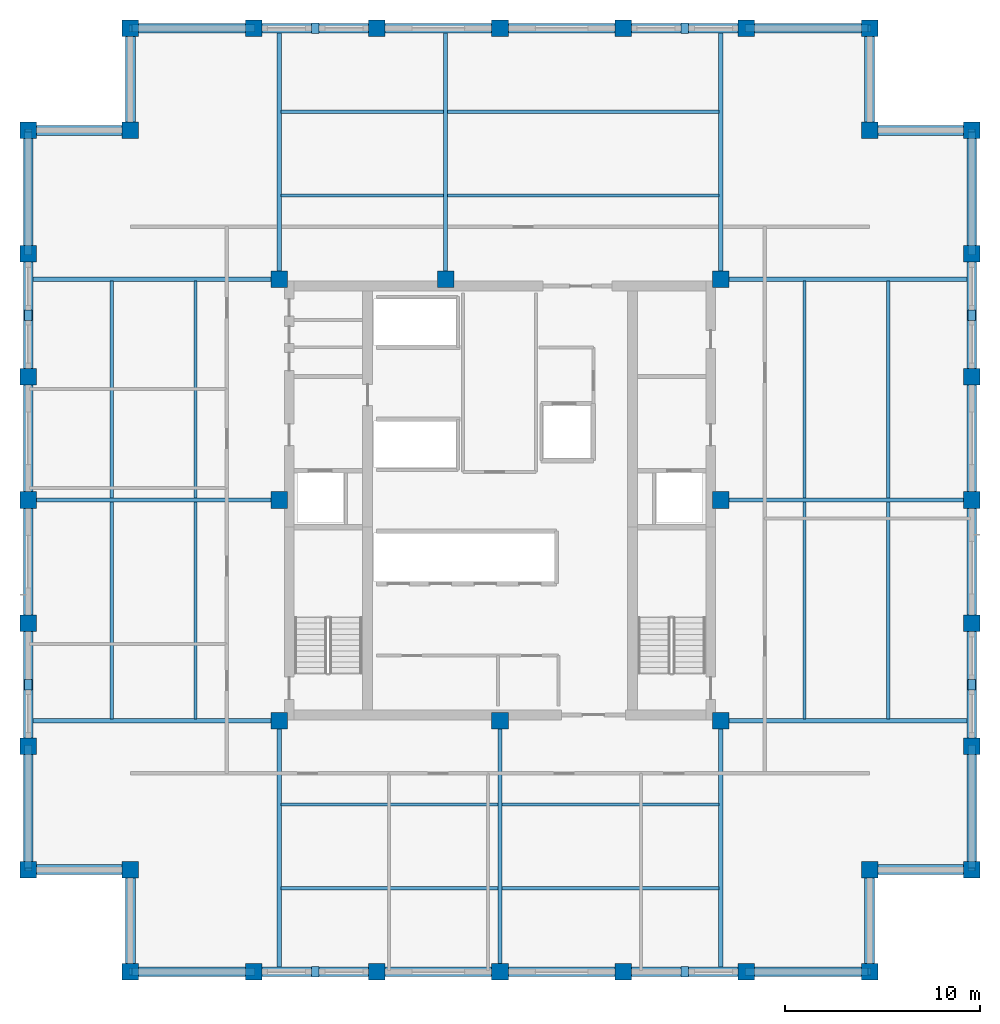
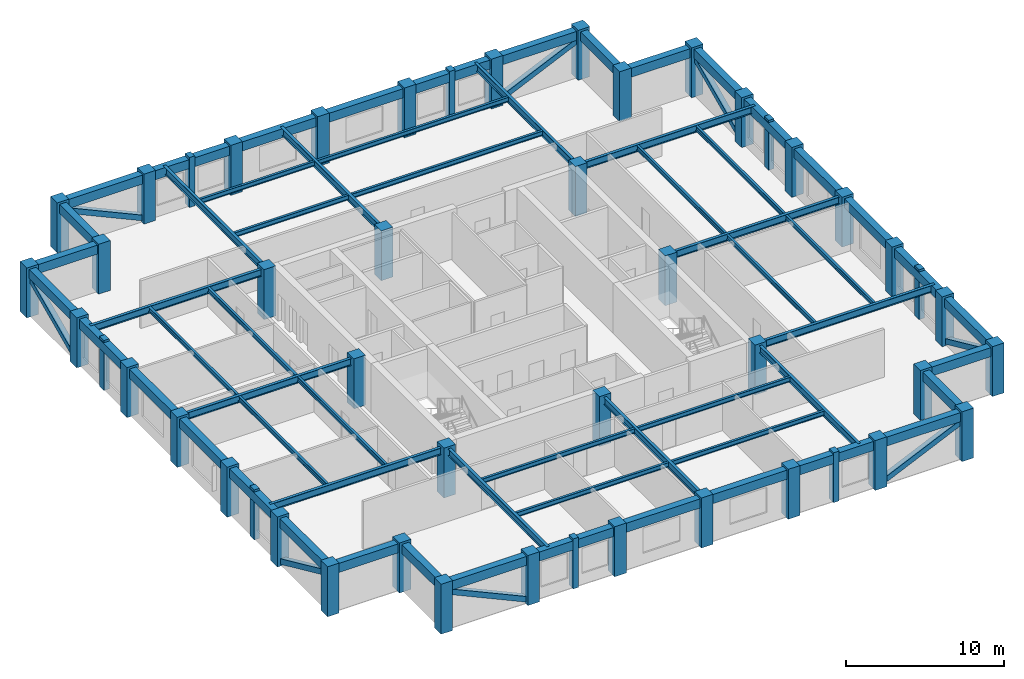
# One storey, part 1 of 9: 60 beams, 40 columns, 16 members.
"""IFC4 building model written with IfcOpenShell, lengths in metres."""

from ifc_helpers import new_model, si_unit, direction, frame, origin, origin_2d, place, context, subcontext, project, spatial, rectangle, hollow_rectangle, i_section, extrude, material, material_profile, profile_set, type_object, element, save


model = new_model("IFC4")

# Units and contexts
model_context = context("Model", 3, precision=1e-05, world=origin(), true_north=direction((0.0, 1.0)))
body_context = subcontext(model_context, "Body", "Model", "MODEL_VIEW")
ifc_project = project(units=[si_unit("LENGTHUNIT", "METRE"), si_unit("AREAUNIT", "SQUARE_METRE"), si_unit("VOLUMEUNIT", "CUBIC_METRE"), si_unit("PLANEANGLEUNIT", "RADIAN"), si_unit("MASSUNIT", "GRAM", prefix="KILO")], contexts=[model_context])

# Site, building, storey
site_placement = place(None, origin())
site = spatial("IfcSite", under=ifc_project, at=site_placement, CompositionType="ELEMENT")
building_placement = place(site_placement, origin())
building = spatial("IfcBuilding", under=site, at=building_placement, Name="Nhamokura Convention Tower", CompositionType="ELEMENT")
storey_placement = place(building_placement, frame((0.0, 0.0, 221.550048828125)))
storey = spatial("IfcBuildingStorey", under=building, at=storey_placement, Name="L54", CompositionType="ELEMENT", Elevation=221.550048828125)

# Columns
ifc_material_1 = material(Name="Concrete C50/60", Category="concrete")
ifc_material_profile_1 = material_profile(ifc_material_1, rectangle(XDim=0.85009765625, YDim=0.85009765625, at=origin_2d()))
ifc_profile_set_1 = profile_set([ifc_material_profile_1], Name="Concrete C50/60")
column_type = type_object("IfcColumnType", Name="TubeColumn_Z3_850", PredefinedType="COLUMN", material=ifc_profile_set_1)
for number, where, z_axis, x_axis, name in (
    (1, (20.64990234375, 20.64990234375, 0.0), (0.0, 0.0, 1.0), (1.0, 0.0, 0.0), "L54 Core Column CC-SW"),
    (2, (32.0, 20.64990234375, 0.0), (0.0, 0.0, 1.0), (1.0, 0.0, 0.0), "L54 Core Column CC-S"),
    (3, (43.35009765625, 20.64990234375, 0.0), (0.0, 0.0, 1.0), (1.0, 0.0, 0.0), "L54 Core Column CC-SE"),
    (4, (43.35009765625, 32.0, 0.0), (0.0, 0.0, 1.0), (1.0, 0.0, 0.0), "L54 Core Column CC-E"),
    (5, (43.35009765625, 43.35009765625, 0.0), (0.0, 0.0, 1.0), (1.0, 0.0, 0.0), "L54 Core Column CC-NE"),
    (6, (29.199951171875, 43.35009765625, 0.0), (0.0, 0.0, 1.0), (1.0, 0.0, 0.0), "L54 Core Column CC-N"),
    (7, (20.64990234375, 43.35009765625, 0.0), (0.0, 0.0, 1.0), (1.0, 0.0, 0.0), "L54 Core Column CC-NW"),
    (8, (20.64990234375, 32.0, 0.0), (0.0, 0.0, 1.0), (1.0, 0.0, 0.0), "L54 Core Column CC-W"),
    (9, (13.0, 7.75, 0.0), (0.0, 0.0, 1.0), (1.0, 0.0, 0.0), "L54 Perimeter Tube Column SW1"),
    (10, (13.0, 13.0, 0.0), (0.0, 0.0, 1.0), (1.0, 0.0, 0.0), "L54 Perimeter Tube Column SW0"),
    (11, (7.75, 13.0, 0.0), (0.0, 0.0, 1.0), (1.0, 0.0, 0.0), "L54 Perimeter Tube Column SW2"),
    (12, (51.0, 7.75, 0.0), (0.0, 0.0, 1.0), (1.0, 0.0, 0.0), "L54 Perimeter Tube Column SE1"),
    (13, (51.0, 13.0, 0.0), (0.0, 0.0, 1.0), (1.0, 0.0, 0.0), "L54 Perimeter Tube Column SE0"),
    (14, (56.25, 13.0, 0.0), (0.0, 0.0, 1.0), (1.0, 0.0, 0.0), "L54 Perimeter Tube Column SE2"),
    (15, (56.25, 51.0, 0.0), (0.0, 0.0, 1.0), (1.0, 0.0, 0.0), "L54 Perimeter Tube Column NE1"),
    (16, (51.0, 51.0, 0.0), (0.0, 0.0, 1.0), (1.0, 0.0, 0.0), "L54 Perimeter Tube Column NE0"),
    (17, (51.0, 56.25, 0.0), (0.0, 0.0, 1.0), (1.0, 0.0, 0.0), "L54 Perimeter Tube Column NE2"),
    (18, (13.0, 56.25, 0.0), (0.0, 0.0, 1.0), (1.0, 0.0, 0.0), "L54 Perimeter Tube Column NW1"),
    (19, (13.0, 51.0, 0.0), (0.0, 0.0, 1.0), (1.0, 0.0, 0.0), "L54 Perimeter Tube Column NW0"),
    (20, (7.75, 51.0, 0.0), (0.0, 0.0, 1.0), (1.0, 0.0, 0.0), "L54 Perimeter Tube Column NW2"),
    (21, (19.333251953125, 7.75, 0.0), (0.0, 0.0, 1.0), (1.0, 0.0, 0.0), "L54 Perimeter Tube Column S1"),
    (22, (19.333251953125, 56.25, 0.0), (0.0, 0.0, 1.0), (1.0, 0.0, 0.0), "L54 Perimeter Tube Column N1"),
    (23, (7.75, 19.333251953125, 0.0), (0.0, 0.0, 1.0), (1.0, 0.0, 0.0), "L54 Perimeter Tube Column W1"),
    (24, (56.25, 19.333251953125, 0.0), (0.0, 0.0, 1.0), (1.0, 0.0, 0.0), "L54 Perimeter Tube Column E1"),
    (25, (25.666748046875, 7.75, 0.0), (0.0, 0.0, 1.0), (1.0, 0.0, 0.0), "L54 Perimeter Tube Column S2"),
    (26, (25.666748046875, 56.25, 0.0), (0.0, 0.0, 1.0), (1.0, 0.0, 0.0), "L54 Perimeter Tube Column N2"),
    (27, (7.75, 25.666748046875, 0.0), (0.0, 0.0, 1.0), (1.0, 0.0, 0.0), "L54 Perimeter Tube Column W2"),
    (28, (56.25, 25.666748046875, 0.0), (0.0, 0.0, 1.0), (1.0, 0.0, 0.0), "L54 Perimeter Tube Column E2"),
    (29, (32.0, 7.75, 0.0), (0.0, 0.0, 1.0), (1.0, 0.0, 0.0), "L54 Perimeter Tube Column S3"),
    (30, (32.0, 56.25, 0.0), (0.0, 0.0, 1.0), (1.0, 0.0, 0.0), "L54 Perimeter Tube Column N3"),
    (31, (7.75, 32.0, 0.0), (0.0, 0.0, 1.0), (1.0, 0.0, 0.0), "L54 Perimeter Tube Column W3"),
    (32, (56.25, 32.0, 0.0), (0.0, 0.0, 1.0), (1.0, 0.0, 0.0), "L54 Perimeter Tube Column E3"),
    (33, (38.333251953125, 7.75, 0.0), (0.0, 0.0, 1.0), (1.0, 0.0, 0.0), "L54 Perimeter Tube Column S4"),
    (34, (38.333251953125, 56.25, 0.0), (0.0, 0.0, 1.0), (1.0, 0.0, 0.0), "L54 Perimeter Tube Column N4"),
    (35, (7.75, 38.333251953125, 0.0), (0.0, 0.0, 1.0), (1.0, 0.0, 0.0), "L54 Perimeter Tube Column W4"),
    (36, (56.25, 38.333251953125, 0.0), (0.0, 0.0, 1.0), (1.0, 0.0, 0.0), "L54 Perimeter Tube Column E4"),
    (37, (44.666748046875, 7.75, 0.0), (0.0, 0.0, 1.0), (1.0, 0.0, 0.0), "L54 Perimeter Tube Column S5"),
    (38, (44.666748046875, 56.25, 0.0), (0.0, 0.0, 1.0), (1.0, 0.0, 0.0), "L54 Perimeter Tube Column N5"),
    (39, (7.75, 44.666748046875, 0.0), (0.0, 0.0, 1.0), (1.0, 0.0, 0.0), "L54 Perimeter Tube Column W5"),
    (40, (56.25, 44.666748046875, 0.0), (0.0, 0.0, 1.0), (1.0, 0.0, 0.0), "L54 Perimeter Tube Column E5"),
):
    element("IfcColumn", number, at=place(storey_placement, frame(where, z_axis=z_axis, x_axis=x_axis)), inside=storey, type_object=column_type, Name=name, PredefinedType="COLUMN", context=body_context, shape_type="SweptSolid", body=[
        extrude(rectangle(XDim=0.85009765625, YDim=0.85009765625, at=origin_2d()), origin(), (0.0, 0.0, 1.0), 3.849853515625),
    ])

# Members
ifc_material_2 = material(Name="Bronze-pigmented precast concrete C45/55", Category="concrete")
ifc_material_profile_2 = material_profile(ifc_material_2, rectangle(XDim=0.39990234375, YDim=0.550048828125, at=origin_2d()))
ifc_profile_set_2 = profile_set([ifc_material_profile_2], Name="Bronze-pigmented precast concrete C45/55")
member_type_1 = type_object("IfcMemberType", Name="BronzePilaster_550", PredefinedType="USERDEFINED", material=ifc_profile_set_2)
for number, where, z_axis, x_axis, name in (
    (41, (22.5, 7.75, 0.0), (0.0, 0.0, 1.0), (1.0, 0.0, 0.0), "L54 Engaged Frame Pilaster SOUTH 1"),
    (42, (41.5, 7.75, 0.0), (0.0, 0.0, 1.0), (1.0, 0.0, 0.0), "L54 Engaged Frame Pilaster SOUTH 4"),
    (43, (22.5, 56.25, 0.0), (0.0, 0.0, 1.0), (1.0, 0.0, 0.0), "L54 Engaged Frame Pilaster NORTH 1"),
    (44, (41.5, 56.25, 0.0), (0.0, 0.0, 1.0), (1.0, 0.0, 0.0), "L54 Engaged Frame Pilaster NORTH 4"),
    (45, (7.75, 22.5, 0.0), (0.0, 0.0, 1.0), (1.0, 0.0, 0.0), "L54 Engaged Frame Pilaster WEST 1"),
    (46, (7.75, 41.5, 0.0), (0.0, 0.0, 1.0), (1.0, 0.0, 0.0), "L54 Engaged Frame Pilaster WEST 4"),
    (47, (56.25, 22.5, 0.0), (0.0, 0.0, 1.0), (1.0, 0.0, 0.0), "L54 Engaged Frame Pilaster EAST 1"),
    (48, (56.25, 41.5, 0.0), (0.0, 0.0, 1.0), (1.0, 0.0, 0.0), "L54 Engaged Frame Pilaster EAST 4"),
):
    element("IfcMember", number, at=place(storey_placement, frame(where, z_axis=z_axis, x_axis=x_axis)), inside=storey, type_object=member_type_1, Name=name, ObjectType="PILASTER_TRIM", PredefinedType="USERDEFINED", context=body_context, shape_type="SweptSolid", body=[
        extrude(rectangle(XDim=0.39990234375, YDim=0.550048828125, at=origin_2d()), origin(), (0.0, 0.0, 1.0), 3.849853515625),
    ])

# Beams
ifc_material_3 = material(Name="Steel ASTM A992 Gr 50", Category="steel")
ifc_material_profile_3 = material_profile(ifc_material_3, i_section(OverallWidth=0.172119140625, OverallDepth=0.35791015625, WebThickness=0.0078125, FlangeThickness=0.01318359375, at=origin_2d()))
ifc_profile_set_3 = profile_set([ifc_material_profile_3], Name="Steel ASTM A992 Gr 50")
beam_type_1 = type_object("IfcBeamType", Name="FloorJoist_W360X57", PredefinedType="JOIST", material=ifc_profile_set_3)
for number, where, z_axis, x_axis, name in (
    (49, (20.75341796875, 12.050048828125, 3.505859375), (1.0, 0.0, 0.0), (0.0, 1.0, 0.0), "L54 Composite Floor Joist S1A"),
    (50, (32.103515625, 12.050048828125, 3.505859375), (1.0, 0.0, 0.0), (0.0, 1.0, 0.0), "L54 Composite Floor Joist S1B"),
    (51, (20.75341796875, 16.35009765625, 3.505859375), (1.0, 0.0, 0.0), (0.0, 1.0, 0.0), "L54 Composite Floor Joist S2A"),
    (52, (32.103515625, 16.35009765625, 3.505859375), (1.0, 0.0, 0.0), (0.0, 1.0, 0.0), "L54 Composite Floor Joist S2B"),
):
    element("IfcBeam", number, at=place(storey_placement, frame(where, z_axis=z_axis, x_axis=x_axis)), inside=storey, type_object=beam_type_1, Name=name, PredefinedType="JOIST", context=body_context, shape_type="SweptSolid", body=[
        extrude(i_section(OverallWidth=0.172119140625, OverallDepth=0.35791015625, WebThickness=0.0078125, FlangeThickness=0.01318359375, at=origin_2d()), origin(), (0.0, 0.0, 1.0), 11.14306640625),
    ])
beam_1_placement = place(storey_placement, frame((20.75341796875, 47.64990234375, 3.505859375), z_axis=(1.0, 0.0, 0.0), x_axis=(0.0, 1.0, 0.0)))
element("IfcBeam", 53, at=beam_1_placement, inside=storey, type_object=beam_type_1, Name="L54 Composite Floor Joist N1A", PredefinedType="JOIST", context=body_context, shape_type="SweptSolid", body=[
    extrude(i_section(OverallWidth=0.172119140625, OverallDepth=0.35791015625, WebThickness=0.0078125, FlangeThickness=0.01318359375, at=origin_2d()), origin(), (0.0, 0.0, 1.0), 8.343017578125),
])
beam_2_placement = place(storey_placement, frame((29.303466796875, 47.64990234375, 3.505859375), z_axis=(1.0, 0.0, 0.0), x_axis=(0.0, 1.0, 0.0)))
element("IfcBeam", 54, at=beam_2_placement, inside=storey, type_object=beam_type_1, Name="L54 Composite Floor Joist N1B", PredefinedType="JOIST", context=body_context, shape_type="SweptSolid", body=[
    extrude(i_section(OverallWidth=0.172119140625, OverallDepth=0.35791015625, WebThickness=0.0078125, FlangeThickness=0.01318359375, at=origin_2d()), origin(), (0.0, 0.0, 1.0), 13.943115234375),
])
beam_3_placement = place(storey_placement, frame((20.75341796875, 51.949951171875, 3.505859375), z_axis=(1.0, 0.0, 0.0), x_axis=(0.0, 1.0, 0.0)))
element("IfcBeam", 55, at=beam_3_placement, inside=storey, type_object=beam_type_1, Name="L54 Composite Floor Joist N2A", PredefinedType="JOIST", context=body_context, shape_type="SweptSolid", body=[
    extrude(i_section(OverallWidth=0.172119140625, OverallDepth=0.35791015625, WebThickness=0.0078125, FlangeThickness=0.01318359375, at=origin_2d()), origin(), (0.0, 0.0, 1.0), 8.343017578125),
])
beam_4_placement = place(storey_placement, frame((29.303466796875, 51.949951171875, 3.505859375), z_axis=(1.0, 0.0, 0.0), x_axis=(0.0, 1.0, 0.0)))
element("IfcBeam", 56, at=beam_4_placement, inside=storey, type_object=beam_type_1, Name="L54 Composite Floor Joist N2B", PredefinedType="JOIST", context=body_context, shape_type="SweptSolid", body=[
    extrude(i_section(OverallWidth=0.172119140625, OverallDepth=0.35791015625, WebThickness=0.0078125, FlangeThickness=0.01318359375, at=origin_2d()), origin(), (0.0, 0.0, 1.0), 13.943115234375),
])
for number, where, z_axis, x_axis, name in (
    (57, (12.050048828125, 20.75341796875, 3.505859375), (0.0, 1.0, 0.0), (-1.0, 0.0, 0.0), "L54 Composite Floor Joist W1A"),
    (58, (12.050048828125, 32.103515625, 3.505859375), (0.0, 1.0, 0.0), (-1.0, 0.0, 0.0), "L54 Composite Floor Joist W1B"),
    (59, (16.35009765625, 20.75341796875, 3.505859375), (0.0, 1.0, 0.0), (-1.0, 0.0, 0.0), "L54 Composite Floor Joist W2A"),
    (60, (16.35009765625, 32.103515625, 3.505859375), (0.0, 1.0, 0.0), (-1.0, 0.0, 0.0), "L54 Composite Floor Joist W2B"),
    (61, (47.64990234375, 20.75341796875, 3.505859375), (0.0, 1.0, 0.0), (-1.0, 0.0, 0.0), "L54 Composite Floor Joist E1A"),
    (62, (47.64990234375, 32.103515625, 3.505859375), (0.0, 1.0, 0.0), (-1.0, 0.0, 0.0), "L54 Composite Floor Joist E1B"),
    (63, (51.949951171875, 20.75341796875, 3.505859375), (0.0, 1.0, 0.0), (-1.0, 0.0, 0.0), "L54 Composite Floor Joist E2A"),
    (64, (51.949951171875, 32.103515625, 3.505859375), (0.0, 1.0, 0.0), (-1.0, 0.0, 0.0), "L54 Composite Floor Joist E2B"),
):
    element("IfcBeam", number, at=place(storey_placement, frame(where, z_axis=z_axis, x_axis=x_axis)), inside=storey, type_object=beam_type_1, Name=name, PredefinedType="JOIST", context=body_context, shape_type="SweptSolid", body=[
        extrude(i_section(OverallWidth=0.172119140625, OverallDepth=0.35791015625, WebThickness=0.0078125, FlangeThickness=0.01318359375, at=origin_2d()), origin(), (0.0, 0.0, 1.0), 11.14306640625),
    ])
ifc_material_4 = material(Name="Steel ASTM A992 Gr 50", Category="steel")
ifc_material_profile_4 = material_profile(ifc_material_4, i_section(OverallWidth=0.2109375, OverallDepth=0.5390625, WebThickness=0.01171875, FlangeThickness=0.018798828125, at=origin_2d()))
ifc_profile_set_4 = profile_set([ifc_material_profile_4], Name="Steel ASTM A992 Gr 50")
beam_type_2 = type_object("IfcBeamType", Name="PrimaryGirder_W530X109", PredefinedType="BEAM", material=ifc_profile_set_4)
for number, where, z_axis, x_axis, name in (
    (65, (20.64990234375, 7.75, 3.41552734375), (0.0, 1.0, 0.0), (-1.0, 0.0, 0.0), "L54 Primary Floor Girder PG-S1"),
    (66, (32.0, 7.75, 3.41552734375), (0.0, 1.0, 0.0), (-1.0, 0.0, 0.0), "L54 Primary Floor Girder PG-S2"),
    (67, (43.35009765625, 7.75, 3.41552734375), (0.0, 1.0, 0.0), (-1.0, 0.0, 0.0), "L54 Primary Floor Girder PG-S3"),
    (68, (20.64990234375, 43.35009765625, 3.41552734375), (0.0, 1.0, 0.0), (-1.0, 0.0, 0.0), "L54 Primary Floor Girder PG-N1"),
    (69, (29.199951171875, 43.35009765625, 3.41552734375), (0.0, 1.0, 0.0), (-1.0, 0.0, 0.0), "L54 Primary Floor Girder PG-N2"),
    (70, (43.35009765625, 43.35009765625, 3.41552734375), (0.0, 1.0, 0.0), (-1.0, 0.0, 0.0), "L54 Primary Floor Girder PG-N3"),
    (71, (7.75, 20.64990234375, 3.41552734375), (1.0, 0.0, 0.0), (0.0, 1.0, 0.0), "L54 Primary Floor Girder PG-W1"),
    (72, (7.75, 32.0, 3.41552734375), (1.0, 0.0, 0.0), (0.0, 1.0, 0.0), "L54 Primary Floor Girder PG-W2"),
    (73, (7.75, 43.35009765625, 3.41552734375), (1.0, 0.0, 0.0), (0.0, 1.0, 0.0), "L54 Primary Floor Girder PG-W3"),
    (74, (43.35009765625, 20.64990234375, 3.41552734375), (1.0, 0.0, 0.0), (0.0, 1.0, 0.0), "L54 Primary Floor Girder PG-E1"),
    (75, (43.35009765625, 32.0, 3.41552734375), (1.0, 0.0, 0.0), (0.0, 1.0, 0.0), "L54 Primary Floor Girder PG-E2"),
    (76, (43.35009765625, 43.35009765625, 3.41552734375), (1.0, 0.0, 0.0), (0.0, 1.0, 0.0), "L54 Primary Floor Girder PG-E3"),
):
    element("IfcBeam", number, at=place(storey_placement, frame(where, z_axis=z_axis, x_axis=x_axis)), inside=storey, type_object=beam_type_2, Name=name, PredefinedType="BEAM", context=body_context, shape_type="SweptSolid", body=[
        extrude(i_section(OverallWidth=0.2109375, OverallDepth=0.5390625, WebThickness=0.01171875, FlangeThickness=0.018798828125, at=origin_2d()), origin(), (0.0, 0.0, 1.0), 12.89990234375),
    ])

# Members
ifc_material_5 = material(Name="Steel ASTM A572 Gr 50", Category="steel")
ifc_material_profile_5 = material_profile(ifc_material_5, hollow_rectangle(XDim=0.39990234375, YDim=0.39990234375, WallThickness=0.02001953125, at=origin_2d()))
ifc_profile_set_5 = profile_set([ifc_material_profile_5], Name="Steel ASTM A572 Gr 50")
member_type_2 = type_object("IfcMemberType", Name="TubeBrace_HSS400", PredefinedType="BRACE", material=ifc_profile_set_5)
for number, where, z_axis, x_axis, name in (
    (77, (19.333251953125, 7.75, 0.14990234375), (-0.910027379678, 0.0, 0.41454814948), (0.0, -1.0, 0.0), "L54 Perimeter Tube Brace SOUTH Bay 0"),
    (78, (44.666748046875, 7.75, 0.14990234375), (0.910027379678, 0.0, 0.41454814948), (0.0, 1.0, 0.0), "L54 Perimeter Tube Brace SOUTH Bay 5"),
    (79, (19.333251953125, 56.25, 0.14990234375), (-0.910027379678, 0.0, 0.41454814948), (0.0, -1.0, 0.0), "L54 Perimeter Tube Brace NORTH Bay 0"),
    (80, (44.666748046875, 56.25, 0.14990234375), (0.910027379678, 0.0, 0.41454814948), (0.0, 1.0, 0.0), "L54 Perimeter Tube Brace NORTH Bay 5"),
    (81, (7.75, 19.333251953125, 0.14990234375), (0.0, -0.910027379678, 0.41454814948), (1.0, 0.0, 0.0), "L54 Perimeter Tube Brace WEST Bay 0"),
    (82, (7.75, 44.666748046875, 0.14990234375), (0.0, 0.910027379678, 0.41454814948), (-1.0, 0.0, 0.0), "L54 Perimeter Tube Brace WEST Bay 5"),
    (83, (56.25, 19.333251953125, 0.14990234375), (0.0, -0.910027379678, 0.41454814948), (1.0, 0.0, 0.0), "L54 Perimeter Tube Brace EAST Bay 0"),
    (84, (56.25, 44.666748046875, 0.14990234375), (0.0, 0.910027379678, 0.41454814948), (-1.0, 0.0, 0.0), "L54 Perimeter Tube Brace EAST Bay 5"),
):
    element("IfcMember", number, at=place(storey_placement, frame(where, z_axis=z_axis, x_axis=x_axis)), inside=storey, type_object=member_type_2, Name=name, PredefinedType="BRACE", context=body_context, shape_type="SweptSolid", body=[
        extrude(hollow_rectangle(XDim=0.39990234375, YDim=0.39990234375, WallThickness=0.02001953125, at=origin_2d()), origin(), (0.0, 0.0, 1.0), 6.95947265625),
    ])

# Beams
ifc_material_6 = material(Name="Concrete C50/60", Category="concrete")
ifc_material_profile_6 = material_profile(ifc_material_6, rectangle(XDim=0.5, YDim=0.699951171875, at=origin_2d()))
ifc_profile_set_6 = profile_set([ifc_material_profile_6], Name="Concrete C50/60")
beam_type_3 = type_object("IfcBeamType", Name="TubeSpandrel_700", PredefinedType="SPANDREL", material=ifc_profile_set_6)
beam_5_placement = place(storey_placement, frame((13.0, 7.75, 3.3349609375), z_axis=(1.0, 0.0, 0.0), x_axis=(0.0, 1.0, 0.0)))
element("IfcBeam", 85, at=beam_5_placement, inside=storey, type_object=beam_type_3, Name="L54 Perimeter Spandrel SOUTH 1", PredefinedType="SPANDREL", context=body_context, shape_type="SweptSolid", body=[
    extrude(rectangle(XDim=0.5, YDim=0.699951171875, at=origin_2d()), origin(), (0.0, 0.0, 1.0), 6.333251953125),
])
beam_6_placement = place(storey_placement, frame((19.333251953125, 7.75, 3.3349609375), z_axis=(1.0, 0.0, 0.0), x_axis=(0.0, 1.0, 0.0)))
element("IfcBeam", 86, at=beam_6_placement, inside=storey, type_object=beam_type_3, Name="L54 Perimeter Spandrel SOUTH 2", PredefinedType="SPANDREL", context=body_context, shape_type="SweptSolid", body=[
    extrude(rectangle(XDim=0.5, YDim=0.699951171875, at=origin_2d()), origin(), (0.0, 0.0, 1.0), 6.33349609375),
])
for number, where, z_axis, x_axis, name in (
    (87, (25.666748046875, 7.75, 3.3349609375), (1.0, 0.0, 0.0), (0.0, 1.0, 0.0), "L54 Perimeter Spandrel SOUTH 3"),
    (88, (32.0, 7.75, 3.3349609375), (1.0, 0.0, 0.0), (0.0, 1.0, 0.0), "L54 Perimeter Spandrel SOUTH 4"),
):
    element("IfcBeam", number, at=place(storey_placement, frame(where, z_axis=z_axis, x_axis=x_axis)), inside=storey, type_object=beam_type_3, Name=name, PredefinedType="SPANDREL", context=body_context, shape_type="SweptSolid", body=[
        extrude(rectangle(XDim=0.5, YDim=0.699951171875, at=origin_2d()), origin(), (0.0, 0.0, 1.0), 6.333251953125),
    ])
beam_7_placement = place(storey_placement, frame((38.333251953125, 7.75, 3.3349609375), z_axis=(1.0, 0.0, 0.0), x_axis=(0.0, 1.0, 0.0)))
element("IfcBeam", 89, at=beam_7_placement, inside=storey, type_object=beam_type_3, Name="L54 Perimeter Spandrel SOUTH 5", PredefinedType="SPANDREL", context=body_context, shape_type="SweptSolid", body=[
    extrude(rectangle(XDim=0.5, YDim=0.699951171875, at=origin_2d()), origin(), (0.0, 0.0, 1.0), 6.33349609375),
])
for number, where, z_axis, x_axis, name in (
    (90, (44.666748046875, 7.75, 3.3349609375), (1.0, 0.0, 0.0), (0.0, 1.0, 0.0), "L54 Perimeter Spandrel SOUTH 6"),
    (91, (13.0, 56.25, 3.3349609375), (1.0, 0.0, 0.0), (0.0, 1.0, 0.0), "L54 Perimeter Spandrel NORTH 1"),
):
    element("IfcBeam", number, at=place(storey_placement, frame(where, z_axis=z_axis, x_axis=x_axis)), inside=storey, type_object=beam_type_3, Name=name, PredefinedType="SPANDREL", context=body_context, shape_type="SweptSolid", body=[
        extrude(rectangle(XDim=0.5, YDim=0.699951171875, at=origin_2d()), origin(), (0.0, 0.0, 1.0), 6.333251953125),
    ])
beam_8_placement = place(storey_placement, frame((19.333251953125, 56.25, 3.3349609375), z_axis=(1.0, 0.0, 0.0), x_axis=(0.0, 1.0, 0.0)))
element("IfcBeam", 92, at=beam_8_placement, inside=storey, type_object=beam_type_3, Name="L54 Perimeter Spandrel NORTH 2", PredefinedType="SPANDREL", context=body_context, shape_type="SweptSolid", body=[
    extrude(rectangle(XDim=0.5, YDim=0.699951171875, at=origin_2d()), origin(), (0.0, 0.0, 1.0), 6.33349609375),
])
for number, where, z_axis, x_axis, name in (
    (93, (25.666748046875, 56.25, 3.3349609375), (1.0, 0.0, 0.0), (0.0, 1.0, 0.0), "L54 Perimeter Spandrel NORTH 3"),
    (94, (32.0, 56.25, 3.3349609375), (1.0, 0.0, 0.0), (0.0, 1.0, 0.0), "L54 Perimeter Spandrel NORTH 4"),
):
    element("IfcBeam", number, at=place(storey_placement, frame(where, z_axis=z_axis, x_axis=x_axis)), inside=storey, type_object=beam_type_3, Name=name, PredefinedType="SPANDREL", context=body_context, shape_type="SweptSolid", body=[
        extrude(rectangle(XDim=0.5, YDim=0.699951171875, at=origin_2d()), origin(), (0.0, 0.0, 1.0), 6.333251953125),
    ])
beam_9_placement = place(storey_placement, frame((38.333251953125, 56.25, 3.3349609375), z_axis=(1.0, 0.0, 0.0), x_axis=(0.0, 1.0, 0.0)))
element("IfcBeam", 95, at=beam_9_placement, inside=storey, type_object=beam_type_3, Name="L54 Perimeter Spandrel NORTH 5", PredefinedType="SPANDREL", context=body_context, shape_type="SweptSolid", body=[
    extrude(rectangle(XDim=0.5, YDim=0.699951171875, at=origin_2d()), origin(), (0.0, 0.0, 1.0), 6.33349609375),
])
for number, where, z_axis, x_axis, name in (
    (96, (44.666748046875, 56.25, 3.3349609375), (1.0, 0.0, 0.0), (0.0, 1.0, 0.0), "L54 Perimeter Spandrel NORTH 6"),
    (97, (7.75, 13.0, 3.3349609375), (0.0, 1.0, 0.0), (-1.0, 0.0, 0.0), "L54 Perimeter Spandrel WEST 1"),
):
    element("IfcBeam", number, at=place(storey_placement, frame(where, z_axis=z_axis, x_axis=x_axis)), inside=storey, type_object=beam_type_3, Name=name, PredefinedType="SPANDREL", context=body_context, shape_type="SweptSolid", body=[
        extrude(rectangle(XDim=0.5, YDim=0.699951171875, at=origin_2d()), origin(), (0.0, 0.0, 1.0), 6.333251953125),
    ])
beam_10_placement = place(storey_placement, frame((7.75, 19.333251953125, 3.3349609375), z_axis=(0.0, 1.0, 0.0), x_axis=(-1.0, 0.0, 0.0)))
element("IfcBeam", 98, at=beam_10_placement, inside=storey, type_object=beam_type_3, Name="L54 Perimeter Spandrel WEST 2", PredefinedType="SPANDREL", context=body_context, shape_type="SweptSolid", body=[
    extrude(rectangle(XDim=0.5, YDim=0.699951171875, at=origin_2d()), origin(), (0.0, 0.0, 1.0), 6.33349609375),
])
for number, where, z_axis, x_axis, name in (
    (99, (7.75, 25.666748046875, 3.3349609375), (0.0, 1.0, 0.0), (-1.0, 0.0, 0.0), "L54 Perimeter Spandrel WEST 3"),
    (100, (7.75, 32.0, 3.3349609375), (0.0, 1.0, 0.0), (-1.0, 0.0, 0.0), "L54 Perimeter Spandrel WEST 4"),
):
    element("IfcBeam", number, at=place(storey_placement, frame(where, z_axis=z_axis, x_axis=x_axis)), inside=storey, type_object=beam_type_3, Name=name, PredefinedType="SPANDREL", context=body_context, shape_type="SweptSolid", body=[
        extrude(rectangle(XDim=0.5, YDim=0.699951171875, at=origin_2d()), origin(), (0.0, 0.0, 1.0), 6.333251953125),
    ])
beam_11_placement = place(storey_placement, frame((7.75, 38.333251953125, 3.3349609375), z_axis=(0.0, 1.0, 0.0), x_axis=(-1.0, 0.0, 0.0)))
element("IfcBeam", 101, at=beam_11_placement, inside=storey, type_object=beam_type_3, Name="L54 Perimeter Spandrel WEST 5", PredefinedType="SPANDREL", context=body_context, shape_type="SweptSolid", body=[
    extrude(rectangle(XDim=0.5, YDim=0.699951171875, at=origin_2d()), origin(), (0.0, 0.0, 1.0), 6.33349609375),
])
for number, where, z_axis, x_axis, name in (
    (102, (7.75, 44.666748046875, 3.3349609375), (0.0, 1.0, 0.0), (-1.0, 0.0, 0.0), "L54 Perimeter Spandrel WEST 6"),
    (103, (56.25, 13.0, 3.3349609375), (0.0, 1.0, 0.0), (-1.0, 0.0, 0.0), "L54 Perimeter Spandrel EAST 1"),
):
    element("IfcBeam", number, at=place(storey_placement, frame(where, z_axis=z_axis, x_axis=x_axis)), inside=storey, type_object=beam_type_3, Name=name, PredefinedType="SPANDREL", context=body_context, shape_type="SweptSolid", body=[
        extrude(rectangle(XDim=0.5, YDim=0.699951171875, at=origin_2d()), origin(), (0.0, 0.0, 1.0), 6.333251953125),
    ])
beam_12_placement = place(storey_placement, frame((56.25, 19.333251953125, 3.3349609375), z_axis=(0.0, 1.0, 0.0), x_axis=(-1.0, 0.0, 0.0)))
element("IfcBeam", 104, at=beam_12_placement, inside=storey, type_object=beam_type_3, Name="L54 Perimeter Spandrel EAST 2", PredefinedType="SPANDREL", context=body_context, shape_type="SweptSolid", body=[
    extrude(rectangle(XDim=0.5, YDim=0.699951171875, at=origin_2d()), origin(), (0.0, 0.0, 1.0), 6.33349609375),
])
for number, where, z_axis, x_axis, name in (
    (105, (56.25, 25.666748046875, 3.3349609375), (0.0, 1.0, 0.0), (-1.0, 0.0, 0.0), "L54 Perimeter Spandrel EAST 3"),
    (106, (56.25, 32.0, 3.3349609375), (0.0, 1.0, 0.0), (-1.0, 0.0, 0.0), "L54 Perimeter Spandrel EAST 4"),
):
    element("IfcBeam", number, at=place(storey_placement, frame(where, z_axis=z_axis, x_axis=x_axis)), inside=storey, type_object=beam_type_3, Name=name, PredefinedType="SPANDREL", context=body_context, shape_type="SweptSolid", body=[
        extrude(rectangle(XDim=0.5, YDim=0.699951171875, at=origin_2d()), origin(), (0.0, 0.0, 1.0), 6.333251953125),
    ])
beam_13_placement = place(storey_placement, frame((56.25, 38.333251953125, 3.3349609375), z_axis=(0.0, 1.0, 0.0), x_axis=(-1.0, 0.0, 0.0)))
element("IfcBeam", 107, at=beam_13_placement, inside=storey, type_object=beam_type_3, Name="L54 Perimeter Spandrel EAST 5", PredefinedType="SPANDREL", context=body_context, shape_type="SweptSolid", body=[
    extrude(rectangle(XDim=0.5, YDim=0.699951171875, at=origin_2d()), origin(), (0.0, 0.0, 1.0), 6.33349609375),
])
beam_14_placement = place(storey_placement, frame((56.25, 44.666748046875, 3.3349609375), z_axis=(0.0, 1.0, 0.0), x_axis=(-1.0, 0.0, 0.0)))
element("IfcBeam", 108, at=beam_14_placement, inside=storey, type_object=beam_type_3, Name="L54 Perimeter Spandrel EAST 6", PredefinedType="SPANDREL", context=body_context, shape_type="SweptSolid", body=[
    extrude(rectangle(XDim=0.5, YDim=0.699951171875, at=origin_2d()), origin(), (0.0, 0.0, 1.0), 6.333251953125),
])
for number, where, z_axis, x_axis, name in (
    (109, (13.0, 7.75, 3.3349609375), (0.0, 1.0, 0.0), (-1.0, 0.0, 0.0), "L54 Notch Spandrel SW1"),
    (110, (13.0, 13.0, 3.3349609375), (-1.0, 0.0, 0.0), (0.0, -1.0, 0.0), "L54 Notch Spandrel SW2"),
    (111, (51.0, 7.75, 3.3349609375), (0.0, 1.0, 0.0), (-1.0, 0.0, 0.0), "L54 Notch Spandrel SE1"),
    (112, (51.0, 13.0, 3.3349609375), (1.0, 0.0, 0.0), (0.0, 1.0, 0.0), "L54 Notch Spandrel SE2"),
    (113, (56.25, 51.0, 3.3349609375), (-1.0, 0.0, 0.0), (0.0, -1.0, 0.0), "L54 Notch Spandrel NE1"),
    (114, (51.0, 51.0, 3.3349609375), (0.0, 1.0, 0.0), (-1.0, 0.0, 0.0), "L54 Notch Spandrel NE2"),
    (115, (13.0, 56.25, 3.3349609375), (0.0, -1.0, 0.0), (1.0, 0.0, 0.0), "L54 Notch Spandrel NW1"),
    (116, (13.0, 51.0, 3.3349609375), (-1.0, 0.0, 0.0), (0.0, -1.0, 0.0), "L54 Notch Spandrel NW2"),
):
    element("IfcBeam", number, at=place(storey_placement, frame(where, z_axis=z_axis, x_axis=x_axis)), inside=storey, type_object=beam_type_3, Name=name, PredefinedType="SPANDREL", context=body_context, shape_type="SweptSolid", body=[
        extrude(rectangle(XDim=0.5, YDim=0.699951171875, at=origin_2d()), origin(), (0.0, 0.0, 1.0), 5.25),
    ])

save(model, "model.ifc")
